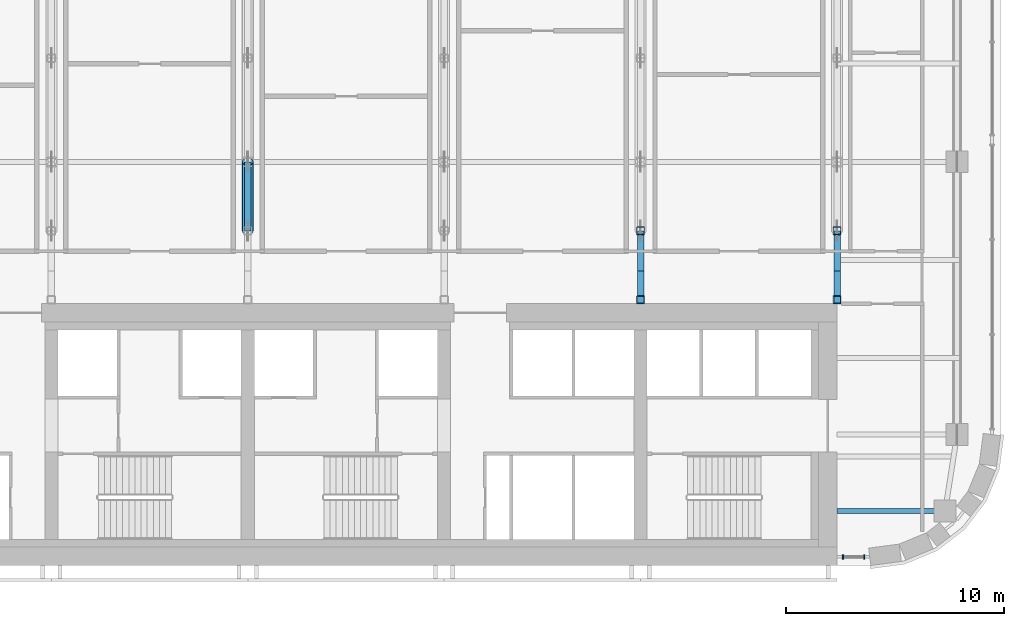
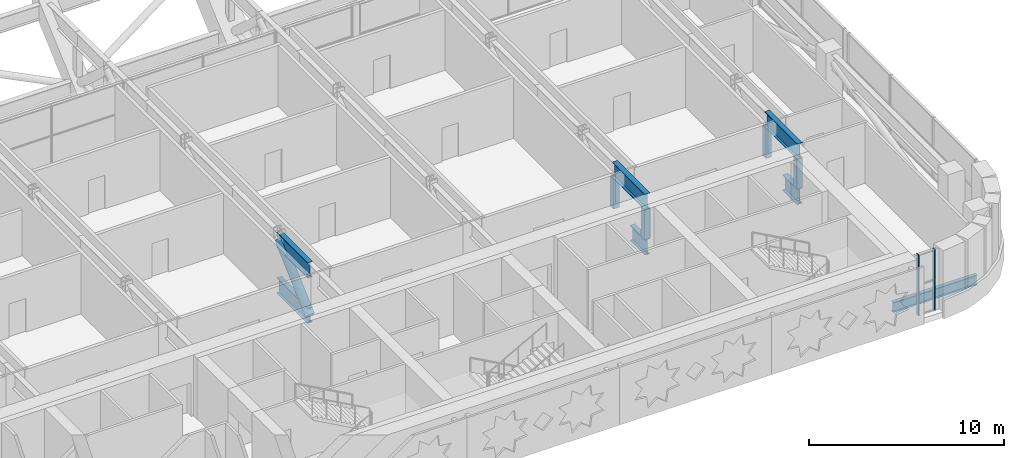
# One storey, part 4 of 23: 13 members, 1 beam, 1 element without a shape of its own.
"""IFC4 building model written with IfcOpenShell, lengths in metres."""

import ifcopenshell
import ifcopenshell.guid

model = None  # the IFC model being written
_history = None  # IfcOwnerHistory: only IFC2X3 demands one
_inside = {}  # id of a spatial element -> (the spatial element, [elements in it])
_under = {}  # id of a project, library or spatial element -> (it, [spatial elements below it])
_declared = {}  # id of a project -> (the project, [libraries it declares])
_typed = {}  # id of a type object -> (the type object, [elements of that type])
_made_of = {}  # id of a material, layer set ... -> (it, [elements and type objects made of it])


def new_model(schema):
    """Start an empty IFC model of exactly this schema.

    Asked for "IFC4X3", IfcOpenShell would pick the latest addendum, in which some entities
    have other attributes; the version numbers below select the first issue.
    IFC2X3 requires an IfcOwnerHistory on every rooted entity: one is made here for all.
    """
    global model, _history
    if schema == "IFC4X3":
        model = ifcopenshell.file(schema_version=(4, 3, 0, 0))
    else:
        model = ifcopenshell.file(schema=schema)
    _inside.clear()
    _under.clear()
    _declared.clear()
    _typed.clear()
    _made_of.clear()
    _history = None
    if model.schema == "IFC2X3":
        org = make("IfcOrganization", Name="unknown")
        user = make(
            "IfcPersonAndOrganization",
            ThePerson=make("IfcPerson", FamilyName="unknown"),
            TheOrganization=org,
        )
        app = make(
            "IfcApplication",
            ApplicationDeveloper=org,
            Version="unknown",
            ApplicationFullName="unknown",
            ApplicationIdentifier="unknown",
        )
        _history = make(
            "IfcOwnerHistory",
            OwningUser=user,
            OwningApplication=app,
            ChangeAction="ADDED",
            CreationDate=0,
        )
    return model


def make(cls, **values):
    """One entity of the class cls with the attributes given. An attribute that is None is left unset."""
    return model.create_entity(
        cls, **{name: value for name, value in values.items() if value is not None}
    )


def rooted(cls, **values):
    """An entity with a GlobalId (a new one), such as an element, a storey or a relation."""
    return make(cls, GlobalId=ifcopenshell.guid.new(), OwnerHistory=_history, **values)


def si_unit(unit_type, name, prefix=None):
    """IfcSIUnit, for example si_unit("LENGTHUNIT", "METRE", prefix="MILLI")."""
    return make("IfcSIUnit", UnitType=unit_type, Prefix=prefix, Name=name)


def assignment(units):
    """IfcUnitAssignment: the units of a project."""
    return None if units is None else make("IfcUnitAssignment", Units=units)


def point(xyz):
    """IfcCartesianPoint."""
    return None if xyz is None else make("IfcCartesianPoint", Coordinates=xyz)


def direction(xyz):
    """IfcDirection."""
    return None if xyz is None else make("IfcDirection", DirectionRatios=xyz)


def frame(location, z_axis=None, x_axis=None):
    """IfcAxis2Placement3D, a coordinate frame: its origin and axes. An axis left out is left unset."""
    return make(
        "IfcAxis2Placement3D",
        Location=point(location),
        Axis=direction(z_axis),
        RefDirection=direction(x_axis),
    )


def frame_2d(location, x_axis=None):
    """IfcAxis2Placement2D, a coordinate frame in the plane: its origin and x axis."""
    return make(
        "IfcAxis2Placement2D", Location=point(location), RefDirection=direction(x_axis)
    )


def origin():
    """The frame at (0, 0, 0) with its axes left unset."""
    return frame((0.0, 0.0, 0.0))


def origin_2d():
    """The frame at (0, 0) in the plane with its x axis left unset."""
    return frame_2d((0.0, 0.0))


def place(relative_to, where):
    """IfcLocalPlacement: puts the frame where relative to a parent placement (None: the world)."""
    return make(
        "IfcLocalPlacement", PlacementRelTo=relative_to, RelativePlacement=where
    )


def context(
    kind, dimensions, precision=None, world=None, true_north=None, identifier=None
):
    """IfcGeometricRepresentationContext, for example the 3D "Model" context."""
    return make(
        "IfcGeometricRepresentationContext",
        ContextIdentifier=identifier,
        ContextType=kind,
        CoordinateSpaceDimension=dimensions,
        Precision=precision,
        WorldCoordinateSystem=world,
        TrueNorth=true_north,
    )


def subcontext(parent, identifier, kind, view, scale=None):
    """IfcGeometricRepresentationSubContext, for example "Body" below "Model"."""
    return make(
        "IfcGeometricRepresentationSubContext",
        ContextIdentifier=identifier,
        ContextType=kind,
        ParentContext=parent,
        TargetScale=scale,
        TargetView=view,
    )


def project(units=None, contexts=None):
    """IfcProject with its units and contexts."""
    return rooted(
        "IfcProject",
        Name="project",
        RepresentationContexts=contexts,
        UnitsInContext=assignment(units),
    )


def spatial(cls, under=None, at=None, **own):
    """A site, building, storey or space (cls), placed at a placement, below another one or the project."""
    s = rooted(cls, ObjectPlacement=at, **own)
    if under is not None:
        _under.setdefault(under.id(), (under, []))[1].append(s)
    return s


def profile(cls, at=None, kind="AREA", **sizes):
    """A parametric profile (cls). Its sizes go by their IFC names, for example OverallWidth=200.0."""
    return make(cls, ProfileType=kind, Position=at, **sizes)


def rectangle(**sizes):
    """IfcRectangleProfileDef."""
    return profile("IfcRectangleProfileDef", **sizes)


def hollow_rectangle(**sizes):
    """IfcRectangleHollowProfileDef."""
    return profile("IfcRectangleHollowProfileDef", **sizes)


def hollow_circle(**sizes):
    """IfcCircleHollowProfileDef."""
    return profile("IfcCircleHollowProfileDef", **sizes)


def i_section(**sizes):
    """IfcIShapeProfileDef."""
    return profile("IfcIShapeProfileDef", **sizes)


def extrude(swept, where, along, depth):
    """IfcExtrudedAreaSolid: the profile swept, set in the frame where, extruded along a direction by depth."""
    return make(
        "IfcExtrudedAreaSolid",
        SweptArea=swept,
        Position=where,
        ExtrudedDirection=direction(along),
        Depth=depth,
    )


def shape(context_of_items, identifier, shape_type, items):
    """IfcShapeRepresentation: the items that make up one representation, for example the "Body"."""
    return make(
        "IfcShapeRepresentation",
        ContextOfItems=context_of_items,
        RepresentationIdentifier=identifier,
        RepresentationType=shape_type,
        Items=items,
    )


def material(Name=None, Category=None):
    """IfcMaterial."""
    return make("IfcMaterial", Name=Name, Category=Category)


def material_profile(
    of_material, cross_section, Name=None, Category=None, Priority=None
):
    """IfcMaterialProfile: a cross section and its material."""
    return make(
        "IfcMaterialProfile",
        Name=Name,
        Material=of_material,
        Profile=cross_section,
        Priority=Priority,
        Category=Category,
    )


def profile_set(profiles, Name=None, composite=None):
    """IfcMaterialProfileSet."""
    return make(
        "IfcMaterialProfileSet",
        Name=Name,
        MaterialProfiles=profiles,
        CompositeProfile=composite,
    )


def made_of(thing, what):
    """Note that an element or type object is made of a material, layer set ...; save() writes the relation."""
    if what is not None:
        _made_of.setdefault(what.id(), (what, []))[1].append(thing)
    return thing


def type_object(cls, material=None, **own):
    """A type object (cls), such as IfcWallType, which elements share."""
    return made_of(rooted(cls, **own), material)


def element(
    cls,
    number,
    at=None,
    inside=None,
    cuts=None,
    type_object=None,
    material=None,
    context=None,
    identifier="Body",
    shape_type=None,
    held_by="IfcProductDefinitionShape",
    body=None,
    shapes=None,
    **own,
):
    """One element of the class cls, such as IfcWall. Its Tag is "e" and its number.

    at: its placement. inside: the storey or other place that contains it. cuts: it is an
    opening in that element (IfcRelVoidsElement). A single representation is given by context,
    identifier, shape_type and body (its items); several are given by shapes. held_by: the class
    of the entity that holds the representations. save() writes the other relations.
    """
    e = rooted(cls, Tag="e%d" % number, ObjectPlacement=at, **own)
    if body is not None:
        shapes = [shape(context, identifier, shape_type, body)]
    if shapes is not None:
        e.Representation = make(held_by, Representations=shapes)
    if inside is not None:
        _inside.setdefault(inside.id(), (inside, []))[1].append(e)
    if cuts is not None:
        rooted(
            "IfcRelVoidsElement", RelatingBuildingElement=cuts, RelatedOpeningElement=e
        )
    if type_object is not None:
        _typed.setdefault(type_object.id(), (type_object, []))[1].append(e)
    return made_of(e, material)


def aggregate(whole, parts):
    """IfcRelAggregates: a whole, such as a stair, and the parts it consists of."""
    return rooted("IfcRelAggregates", RelatingObject=whole, RelatedObjects=parts)


def save(model, path):
    """Write the relations noted so far, then the file.

    IfcRelAggregates (storeys below a building ...), IfcRelContainedInSpatialStructure (elements
    in a storey), IfcRelDefinesByType, IfcRelAssociatesMaterial and IfcRelDeclares: one each for
    every whole, place, type object, material and project.
    """
    for whole, parts in _under.values():
        aggregate(whole, parts)
    for where, things in _inside.values():
        rooted(
            "IfcRelContainedInSpatialStructure",
            RelatedElements=things,
            RelatingStructure=where,
        )
    for kind, things in _typed.values():
        rooted("IfcRelDefinesByType", RelatedObjects=things, RelatingType=kind)
    for what, things in _made_of.values():
        rooted("IfcRelAssociatesMaterial", RelatedObjects=things, RelatingMaterial=what)
    for by, libraries in _declared.values():
        rooted("IfcRelDeclares", RelatingContext=by, RelatedDefinitions=libraries)
    model.write(path)


model = new_model("IFC4")

# Units and contexts
model_context = context("Model", 3, precision=1e-05, world=origin(), true_north=direction((0.0, 1.0)))
body_context = subcontext(model_context, "Body", "Model", "MODEL_VIEW")
ifc_project = project(units=[si_unit("LENGTHUNIT", "METRE"), si_unit("AREAUNIT", "SQUARE_METRE"), si_unit("VOLUMEUNIT", "CUBIC_METRE"), si_unit("PLANEANGLEUNIT", "RADIAN"), si_unit("MASSUNIT", "GRAM", prefix="KILO")], contexts=[model_context])

# Site, building, storey
site_placement = place(None, origin())
site = spatial("IfcSite", under=ifc_project, at=site_placement, CompositionType="ELEMENT")
building_placement = place(site_placement, origin())
building = spatial("IfcBuilding", under=site, at=building_placement, Name="Zellij Exchange Tower", CompositionType="ELEMENT")
storey_placement = place(building_placement, frame((0.0, 0.0, 160.5)))
storey = spatial("IfcBuildingStorey", under=building, at=storey_placement, Name="L36", CompositionType="ELEMENT", Elevation=160.5)

# Curtain wall, members
ifc_material_1 = material(Name="Aluminium frame, clear insulating glass", Category="aluminium")
curtain_wall_type = type_object("IfcCurtainWallType", Name="ENV-CW2 Outrigger-storey glazing", PredefinedType="NOTDEFINED", material=ifc_material_1)
curtain_wall_placement = place(storey_placement, origin())
curtain_wall = element("IfcCurtainWall", 1, at=curtain_wall_placement, inside=storey, type_object=curtain_wall_type, Name="cw.L36.00b", PredefinedType="NOTDEFINED")
ifc_material_2 = material(Name="Aluminium", Category="aluminium")
ifc_material_profile_1 = material_profile(ifc_material_2, rectangle(XDim=0.06005859375, YDim=0.199951171875, at=origin_2d()), Name="AL 60x200")
ifc_profile_set_1 = profile_set([ifc_material_profile_1], Name="Aluminium")
member_type_1 = type_object("IfcMemberType", Name="ENV-CW2M Mullion 60x200", PredefinedType="MULLION", material=ifc_profile_set_1)
member_1_placement = place(storey_placement, frame((27.280029296875, -13.60009765625, 0.0), z_axis=(0.0, 0.0, 1.0), x_axis=(1.0, 0.0, 0.0)))
member_1 = element("IfcMember", 2, at=member_1_placement, type_object=member_type_1, Name="CW2 mullion 1", PredefinedType="MULLION", context=body_context, shape_type="SweptSolid", body=[
    extrude(rectangle(XDim=0.06005859375, YDim=0.199951171875, at=origin_2d()), origin(), (0.0, 0.0, 1.0), 3.800048828125),
])
member_2_placement = place(storey_placement, frame((28.243896484375, -13.60009765625, 0.0), z_axis=(0.0, 0.0, 1.0), x_axis=(1.0, 0.0, 0.0)))
member_2 = element("IfcMember", 3, at=member_2_placement, type_object=member_type_1, Name="CW2 mullion 2", PredefinedType="MULLION", context=body_context, shape_type="SweptSolid", body=[
    extrude(rectangle(XDim=0.06005859375, YDim=0.199951171875, at=origin_2d()), origin(), (0.0, 0.0, 1.0), 3.800048828125),
])
aggregate(curtain_wall, [member_1, member_2])

# Beam
ifc_material_3 = material(Name="Structural steel ASTM A992 Gr 50", Category="steel")
ifc_material_profile_2 = material_profile(ifc_material_3, i_section(OverallWidth=0.22900390625, OverallDepth=0.612060546875, WebThickness=0.011962890625, FlangeThickness=0.01953125, at=origin_2d()), Name="W24x84")
ifc_profile_set_2 = profile_set([ifc_material_profile_2], Name="Structural steel ASTM A992 Gr 50")
beam_type = type_object("IfcBeamType", Name="STR-GIRDER W24x84", PredefinedType="BEAM", material=ifc_profile_set_2)
beam_placement = place(storey_placement, frame((27.0, -11.5, -0.656005859375), z_axis=(1.0, 0.0, 0.0), x_axis=(0.0, 1.0, 0.0)))
element("IfcBeam", 4, at=beam_placement, inside=storey, type_object=beam_type, Name="G4", PredefinedType="BEAM", context=body_context, shape_type="SweptSolid", body=[
    extrude(i_section(OverallWidth=0.22900390625, OverallDepth=0.612060546875, WebThickness=0.011962890625, FlangeThickness=0.01953125, at=origin_2d()), origin(), (0.0, 0.0, 1.0), 4.949951171875),
])

# Members
ifc_material_4 = material(Name="Structural steel ASTM A913 Gr 65", Category="steel")
ifc_material_profile_3 = material_profile(ifc_material_4, i_section(OverallWidth=0.2998046875, OverallDepth=0.965087890625, WebThickness=0.01904296875, FlangeThickness=0.0361328125, at=origin_2d()), Name="W40x249")
ifc_profile_set_3 = profile_set([ifc_material_profile_3], Name="Structural steel ASTM A913 Gr 65")
member_type_2 = type_object("IfcMemberType", Name="STR-OUTRIGGER TRUSS CHORD W40x249", PredefinedType="CHORD", material=ifc_profile_set_3)
for number, where, z_axis, x_axis, name in (
    (5, (0.0, 1.339111328125, 3.3173828125), (0.0, 1.0, 0.0), (-1.0, 0.0, 0.0), "OT1"),
    (6, (0.0, 1.339111328125, 0.482666015625), (0.0, 1.0, 0.0), (-1.0, 0.0, 0.0), "OT1"),
):
    element("IfcMember", number, at=place(storey_placement, frame(where, z_axis=z_axis, x_axis=x_axis)), inside=storey, type_object=member_type_2, Name=name, PredefinedType="CHORD", context=body_context, shape_type="SweptSolid", body=[
        extrude(i_section(OverallWidth=0.2998046875, OverallDepth=0.965087890625, WebThickness=0.01904296875, FlangeThickness=0.0361328125, at=origin_2d()), origin(), (0.0, 0.0, 1.0), 3.160888671875),
    ])
member_3_placement = place(storey_placement, frame((18.0, -2.0, 3.3173828125), z_axis=(0.0, 1.0, 0.0), x_axis=(-1.0, 0.0, 0.0)))
element("IfcMember", 7, at=member_3_placement, inside=storey, type_object=member_type_2, Name="OT1", PredefinedType="CHORD", context=body_context, shape_type="SweptSolid", body=[
    extrude(i_section(OverallWidth=0.2998046875, OverallDepth=0.965087890625, WebThickness=0.01904296875, FlangeThickness=0.0361328125, at=origin_2d()), origin(), (0.0, 0.0, 1.0), 3.339111328125),
])
member_4_placement = place(storey_placement, frame((18.0, -2.0, 0.482666015625), z_axis=(0.0, 1.0, 0.0), x_axis=(-1.0, 0.0, 0.0)))
element("IfcMember", 8, at=member_4_placement, inside=storey, type_object=member_type_2, Name="OT1", PredefinedType="CHORD", context=body_context, shape_type="SweptSolid", body=[
    extrude(i_section(OverallWidth=0.2998046875, OverallDepth=0.965087890625, WebThickness=0.01904296875, FlangeThickness=0.0361328125, at=origin_2d()), origin(), (0.0, 0.0, 1.0), 1.5),
])
member_5_placement = place(storey_placement, frame((27.0, -2.0, 3.3173828125), z_axis=(0.0, 1.0, 0.0), x_axis=(-1.0, 0.0, 0.0)))
element("IfcMember", 9, at=member_5_placement, inside=storey, type_object=member_type_2, Name="OT1", PredefinedType="CHORD", context=body_context, shape_type="SweptSolid", body=[
    extrude(i_section(OverallWidth=0.2998046875, OverallDepth=0.965087890625, WebThickness=0.01904296875, FlangeThickness=0.0361328125, at=origin_2d()), origin(), (0.0, 0.0, 1.0), 3.339111328125),
])
member_6_placement = place(storey_placement, frame((27.0, -2.0, 0.482666015625), z_axis=(0.0, 1.0, 0.0), x_axis=(-1.0, 0.0, 0.0)))
element("IfcMember", 10, at=member_6_placement, inside=storey, type_object=member_type_2, Name="OT1", PredefinedType="CHORD", context=body_context, shape_type="SweptSolid", body=[
    extrude(i_section(OverallWidth=0.2998046875, OverallDepth=0.965087890625, WebThickness=0.01904296875, FlangeThickness=0.0361328125, at=origin_2d()), origin(), (0.0, 0.0, 1.0), 1.5),
])
ifc_material_5 = material(Name="Structural steel ASTM A500 Gr C", Category="steel")
ifc_material_profile_4 = material_profile(ifc_material_5, hollow_circle(Radius=0.25390625, WallThickness=0.01171875, at=origin_2d()), Name="STR-OUTRIGGER TRUSS DIAGONAL HSS20.000x0.500")
ifc_profile_set_4 = profile_set([ifc_material_profile_4], Name="Structural steel ASTM A500 Gr C")
member_type_3 = type_object("IfcMemberType", Name="STR-OUTRIGGER TRUSS DIAGONAL HSS20.000x0.500", PredefinedType="BRACE", material=ifc_profile_set_4)
member_7_placement = place(storey_placement, frame((0.0, 1.339111328125, 0.482666015625), z_axis=(0.0, 0.744473836996, 0.667651635233), x_axis=(-1.0, 0.0, 0.0)))
element("IfcMember", 11, at=member_7_placement, inside=storey, type_object=member_type_3, Name="OT2", PredefinedType="BRACE", context=body_context, shape_type="SweptSolid", body=[
    extrude(hollow_circle(Radius=0.25390625, WallThickness=0.01171875, at=origin_2d()), origin(), (0.0, 0.0, 1.0), 4.245849609375),
])
ifc_material_profile_5 = material_profile(ifc_material_5, hollow_rectangle(XDim=0.355712890625, YDim=0.355712890625, WallThickness=0.01171875, InnerFilletRadius=0.01171875, OuterFilletRadius=0.023681640625, at=origin_2d()), Name="STR-OUTRIGGER TRUSS POST HSS14x14x1/2")
ifc_profile_set_5 = profile_set([ifc_material_profile_5], Name="Structural steel ASTM A500 Gr C")
member_type_4 = type_object("IfcMemberType", Name="STR-OUTRIGGER TRUSS POST HSS14x14x1/2", PredefinedType="POST", material=ifc_profile_set_5)
for number, where, z_axis, x_axis, name in (
    (12, (18.0, -1.822265625, 0.965087890625), (0.0, 0.0, 1.0), (1.0, 0.0, 0.0), "OT3"),
    (13, (18.0, 1.339111328125, 0.965087890625), (0.0, 0.0, 1.0), (1.0, 0.0, 0.0), "OT3"),
    (14, (27.0, -1.822265625, 0.965087890625), (0.0, 0.0, 1.0), (1.0, 0.0, 0.0), "OT3"),
    (15, (27.0, 1.339111328125, 0.965087890625), (0.0, 0.0, 1.0), (1.0, 0.0, 0.0), "OT3"),
):
    element("IfcMember", number, at=place(storey_placement, frame(where, z_axis=z_axis, x_axis=x_axis)), inside=storey, type_object=member_type_4, Name=name, PredefinedType="POST", context=body_context, shape_type="SweptSolid", body=[
        extrude(hollow_rectangle(XDim=0.355712890625, YDim=0.355712890625, WallThickness=0.01171875, InnerFilletRadius=0.01171875, OuterFilletRadius=0.023681640625, at=origin_2d()), origin(), (0.0, 0.0, 1.0), 1.86962890625),
    ])

save(model, "model.ifc")
